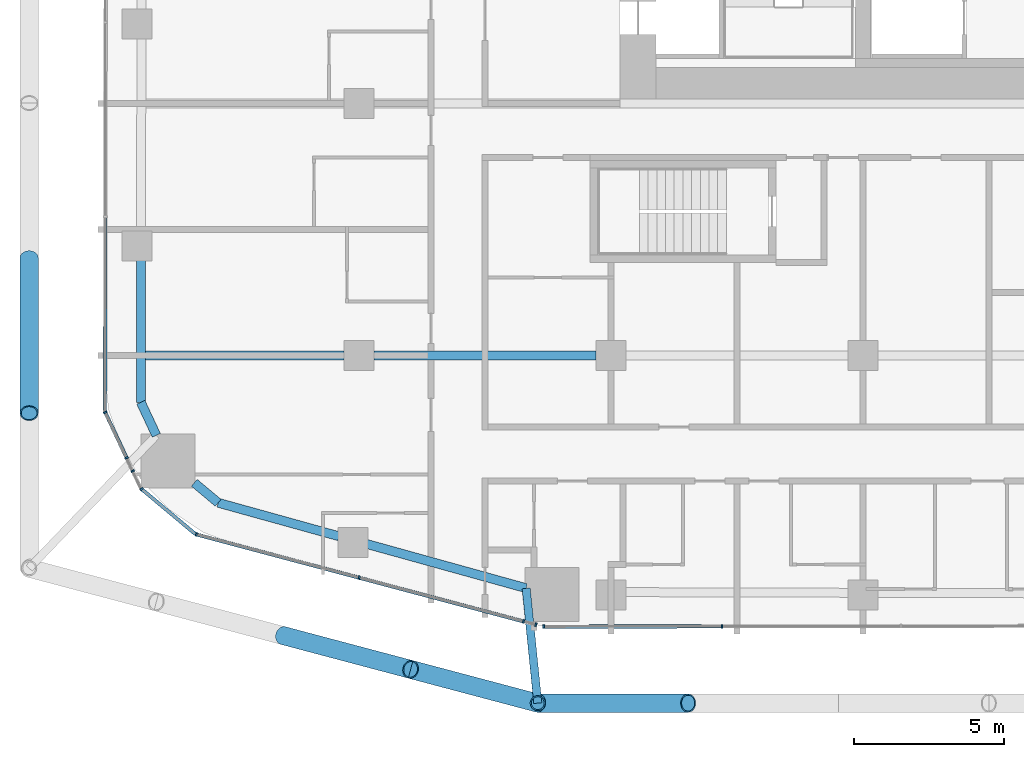
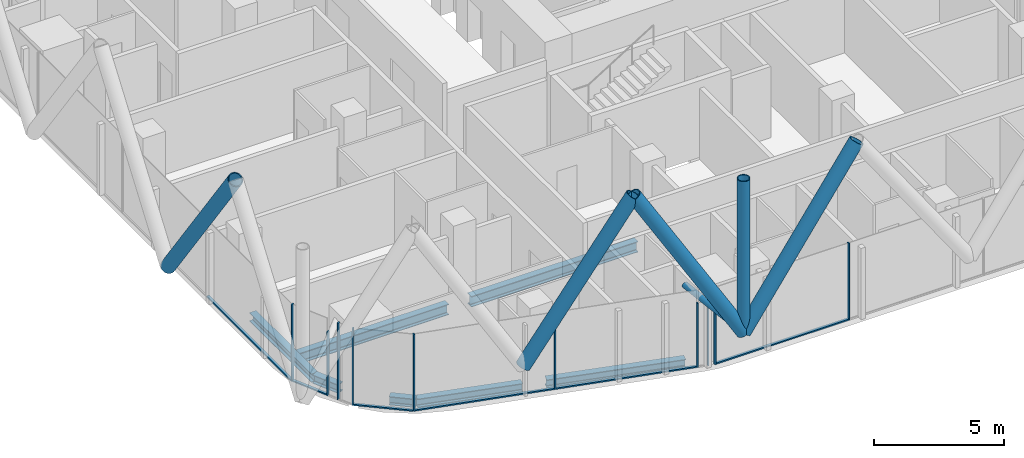
# One storey, part 2 of 35: 22 members, 7 beams, 8 elements without a shape of their own.
"""IFC4 building model written with IfcOpenShell, lengths in metres."""

from ifc_helpers import new_model, si_unit, direction, frame, origin, origin_2d, place, context, subcontext, project, spatial, rectangle, hollow_circle, i_section, extrude, material, layer, layer_set, material_profile, profile_set, type_object, element, aggregate, save


model = new_model("IFC4")

# Units and contexts
model_context = context("Model", 3, precision=1e-05, world=origin(), true_north=direction((0.0, 1.0)))
body_context = subcontext(model_context, "Body", "Model", "MODEL_VIEW")
ifc_project = project(units=[si_unit("LENGTHUNIT", "METRE"), si_unit("AREAUNIT", "SQUARE_METRE"), si_unit("VOLUMEUNIT", "CUBIC_METRE"), si_unit("PLANEANGLEUNIT", "RADIAN"), si_unit("MASSUNIT", "GRAM", prefix="KILO")], contexts=[model_context])

# Site, building, storey
site_placement = place(None, origin())
site = spatial("IfcSite", under=ifc_project, at=site_placement, CompositionType="ELEMENT")
building_placement = place(site_placement, origin())
building = spatial("IfcBuilding", under=site, at=building_placement, Name="Marenta Gate Hotel Tower", CompositionType="ELEMENT")
storey_placement = place(building_placement, frame((0.0, 0.0, 61.699951171875)))
storey = spatial("IfcBuildingStorey", under=building, at=storey_placement, Name="L13", CompositionType="ELEMENT", Elevation=61.699951171875)

# Members
ifc_material_1 = material(Name="Steel S355J2W", Category="steel")
ifc_material_profile_1 = material_profile(ifc_material_1, hollow_circle(Radius=0.25390625, WallThickness=0.0400390625, at=origin_2d()), Name="CHS 508x40")
ifc_profile_set_1 = profile_set([ifc_material_profile_1], Name="Steel S355J2W")
member_type_1 = type_object("IfcMemberType", Name="Diagrid corner post Z1 CHS 508x40", PredefinedType="POST", material=ifc_profile_set_1)
member_1_placement = place(storey_placement, frame((-15.0390625, -20.0, 3.14013671875), z_axis=(0.0, 0.0, 1.0), x_axis=(1.0, 0.0, 0.0)))
element("IfcMember", 1, at=member_1_placement, inside=storey, type_object=member_type_1, Name="L13-DR-4", PredefinedType="POST", context=body_context, shape_type="SweptSolid", body=[
    extrude(hollow_circle(Radius=0.25390625, WallThickness=0.0400390625, at=origin_2d()), origin(), (0.0, 0.0, 1.0), 7.199951171875),
])
ifc_material_2 = material(Name="Steel S355J2W", Category="steel")
ifc_material_profile_2 = material_profile(ifc_material_2, hollow_circle(Radius=0.304931640625, WallThickness=0.0400390625, at=origin_2d()), Name="CHS 610x40")
ifc_profile_set_2 = profile_set([ifc_material_profile_2], Name="Steel S355J2W")
member_type_2 = type_object("IfcMemberType", Name="Diagrid diagonal Z1 CHS 610x40", PredefinedType="BRACE", material=ifc_profile_set_2)
member_2_placement = place(storey_placement, frame((-15.0390625, -20.0, 3.14013671875), z_axis=(0.571411767966, 0.0, 0.820663506822), x_axis=(0.0, 1.0, 0.0)))
element("IfcMember", 2, at=member_2_placement, inside=storey, type_object=member_type_2, Name="L13-DG-20", PredefinedType="BRACE", context=body_context, shape_type="SweptSolid", body=[
    extrude(hollow_circle(Radius=0.304931640625, WallThickness=0.0400390625, at=origin_2d()), origin(), (0.0, 0.0, 1.0), 8.7734375),
])
for number, where, z_axis, x_axis, name in (
    (3, (-15.0390625, -20.0, 3.14013671875), (-0.502924018666, 0.133433548941, 0.853968921838), (-0.256443187528, -0.96655930577, 0.0), "L13-DG-21"),
    (4, (-23.51953125, -17.75, 3.14013671875), (0.502924018666, -0.133433548941, 0.853968921838), (0.256443187528, 0.96655930577, 0.0), "L13-DG-22"),
):
    element("IfcMember", number, at=place(storey_placement, frame(where, z_axis=z_axis, x_axis=x_axis)), inside=storey, type_object=member_type_2, Name=name, PredefinedType="BRACE", context=body_context, shape_type="SweptSolid", body=[
        extrude(hollow_circle(Radius=0.304931640625, WallThickness=0.0400390625, at=origin_2d()), origin(), (0.0, 0.0, 1.0), 8.43115234375),
    ])
member_3_placement = place(storey_placement, frame((-32.0, -5.16015625, 3.14013671875), z_axis=(0.0, -0.583260841117, 0.812284919975), x_axis=(1.0, 0.0, 0.0)))
element("IfcMember", 5, at=member_3_placement, inside=storey, type_object=member_type_2, Name="L13-DG-26", PredefinedType="BRACE", context=body_context, shape_type="SweptSolid", body=[
    extrude(hollow_circle(Radius=0.304931640625, WallThickness=0.0400390625, at=origin_2d()), origin(), (0.0, 0.0, 1.0), 8.86376953125),
])

# Beams
ifc_material_3 = material(Name="Steel S355", Category="steel")
ifc_material_profile_3 = material_profile(ifc_material_3, i_section(OverallWidth=0.300048828125, OverallDepth=0.39990234375, WebThickness=0.013427734375, FlangeThickness=0.02392578125, FilletRadius=0.027099609375, at=origin_2d()), Name="HEB 400")
ifc_profile_set_3 = profile_set([ifc_material_profile_3], Name="Steel S355")
beam_type_1 = type_object("IfcBeamType", Name="Edge beam HEB 400", PredefinedType="SPANDREL", material=ifc_profile_set_3)
beam_1_placement = place(storey_placement, frame((-15.427734375, -16.166748046875, -0.4599609375), z_axis=(-0.963623684238, 0.267262782998, 0.0), x_axis=(-0.267262782998, -0.963623684238, 0.0)))
element("IfcBeam", 6, at=beam_1_placement, inside=storey, type_object=beam_type_1, Name="L13-EB-1", PredefinedType="SPANDREL", context=body_context, shape_type="SweptSolid", body=[
    extrude(i_section(OverallWidth=0.300048828125, OverallDepth=0.39990234375, WebThickness=0.013427734375, FlangeThickness=0.02392578125, FilletRadius=0.027099609375, at=origin_2d()), origin(), (0.0, 0.0, 1.0), 5.518310546875),
])
beam_2_placement = place(storey_placement, frame((-21.668212890625, -14.43603515625, -0.4599609375), z_axis=(-0.963617403201, 0.267285428426, 0.0), x_axis=(-0.267285428426, -0.963617403201, 0.0)))
element("IfcBeam", 7, at=beam_2_placement, inside=storey, type_object=beam_type_1, Name="L13-EB-2", PredefinedType="SPANDREL", context=body_context, shape_type="SweptSolid", body=[
    extrude(i_section(OverallWidth=0.300048828125, OverallDepth=0.39990234375, WebThickness=0.013427734375, FlangeThickness=0.02392578125, FilletRadius=0.027099609375, at=origin_2d()), origin(), (0.0, 0.0, 1.0), 4.1806640625),
])
beam_3_placement = place(storey_placement, frame((-25.69677734375, -13.318603515625, -0.4599609375), z_axis=(-0.767179911534, 0.641431978731, 0.0), x_axis=(-0.641431978731, -0.767179911534, 0.0)))
element("IfcBeam", 8, at=beam_3_placement, inside=storey, type_object=beam_type_1, Name="L13-EB-3", PredefinedType="SPANDREL", context=body_context, shape_type="SweptSolid", body=[
    extrude(i_section(OverallWidth=0.300048828125, OverallDepth=0.39990234375, WebThickness=0.013427734375, FlangeThickness=0.02392578125, FilletRadius=0.027099609375, at=origin_2d()), origin(), (0.0, 0.0, 1.0), 1.038818359375),
])
beam_4_placement = place(storey_placement, frame((-27.76025390625, -11.0693359375, -0.4599609375), z_axis=(-0.423291965192, 0.905993329006, 0.0), x_axis=(-0.905993329006, -0.423291965192, 0.0)))
element("IfcBeam", 9, at=beam_4_placement, inside=storey, type_object=beam_type_1, Name="L13-EB-4", PredefinedType="SPANDREL", context=body_context, shape_type="SweptSolid", body=[
    extrude(i_section(OverallWidth=0.300048828125, OverallDepth=0.39990234375, WebThickness=0.013427734375, FlangeThickness=0.02392578125, FilletRadius=0.027099609375, at=origin_2d()), origin(), (0.0, 0.0, 1.0), 1.21630859375),
])
beam_5_placement = place(storey_placement, frame((-28.275146484375, -9.96728515625, -0.4599609375), z_axis=(0.001386177947, 0.999999039255, 0.0), x_axis=(-0.999999039255, 0.001386177947, 0.0)))
element("IfcBeam", 10, at=beam_5_placement, inside=storey, type_object=beam_type_1, Name="L13-EB-5", PredefinedType="SPANDREL", context=body_context, shape_type="SweptSolid", body=[
    extrude(i_section(OverallWidth=0.300048828125, OverallDepth=0.39990234375, WebThickness=0.013427734375, FlangeThickness=0.02392578125, FilletRadius=0.027099609375, at=origin_2d()), origin(), (0.0, 0.0, 1.0), 4.75537109375),
])

# Member
ifc_material_4 = material(Name="Steel S355J2W", Category="steel")
ifc_material_profile_4 = material_profile(ifc_material_4, hollow_circle(Radius=0.136474609375, WallThickness=0.012451171875, at=origin_2d()), Name="CHS 273x12.5")
ifc_profile_set_4 = profile_set([ifc_material_profile_4], Name="Steel S355J2W")
member_type_3 = type_object("IfcMemberType", Name="Floor tie CHS 273x12.5", PredefinedType="STRUT", material=ifc_profile_set_4)
member_4_placement = place(storey_placement, frame((-15.0390625, -20.0, 3.14013671875), z_axis=(-0.100880214529, 0.99489857891, 0.0), x_axis=(-0.99489857891, -0.100880214529, 0.0)))
element("IfcMember", 11, at=member_4_placement, inside=storey, type_object=member_type_3, Name="L13-DR-10", PredefinedType="STRUT", context=body_context, shape_type="SweptSolid", body=[
    extrude(hollow_circle(Radius=0.136474609375, WallThickness=0.012451171875, at=origin_2d()), origin(), (0.0, 0.0, 1.0), 3.845458984375),
])

# Beams
ifc_material_5 = material(Name="Steel S355", Category="steel")
ifc_material_profile_5 = material_profile(ifc_material_5, i_section(OverallWidth=0.300048828125, OverallDepth=0.5, WebThickness=0.014404296875, FlangeThickness=0.028076171875, FilletRadius=0.027099609375, at=origin_2d()), Name="HEB 500")
ifc_profile_set_5 = profile_set([ifc_material_profile_5], Name="Steel S355")
beam_type_2 = type_object("IfcBeamType", Name="Girder HEB 500", PredefinedType="BEAM", material=ifc_profile_set_5)
beam_6_placement = place(storey_placement, frame((-28.123046875, -8.39990234375, -0.510009765625), z_axis=(1.0, 0.0, 0.0), x_axis=(0.0, 1.0, 0.0)))
element("IfcBeam", 12, at=beam_6_placement, inside=storey, type_object=beam_type_2, Name="L13-GD-1", PredefinedType="BEAM", context=body_context, shape_type="SweptSolid", body=[
    extrude(i_section(OverallWidth=0.300048828125, OverallDepth=0.5, WebThickness=0.014404296875, FlangeThickness=0.028076171875, FilletRadius=0.027099609375, at=origin_2d()), origin(), (0.0, 0.0, 1.0), 6.623046875),
])
beam_7_placement = place(storey_placement, frame((-20.5, -8.39990234375, -0.510009765625), z_axis=(1.0, 0.0, 0.0), x_axis=(0.0, 1.0, 0.0)))
element("IfcBeam", 13, at=beam_7_placement, inside=storey, type_object=beam_type_2, Name="L13-GD-2", PredefinedType="BEAM", context=body_context, shape_type="SweptSolid", body=[
    extrude(i_section(OverallWidth=0.300048828125, OverallDepth=0.5, WebThickness=0.014404296875, FlangeThickness=0.028076171875, FilletRadius=0.027099609375, at=origin_2d()), origin(), (0.0, 0.0, 1.0), 7.39990234375),
])

# Curtain wall, member
ifc_material_6 = material(Name="Tinted insulated glass in bronze anodised frame", Category="glass")
ifc_layer = layer(ifc_material_6, 0.1201171875)
ifc_layer_set = layer_set([ifc_layer], Name="Tinted insulated glass in bronze anodised frame")
curtain_wall_type = type_object("IfcCurtainWallType", Name="Tower unitised curtain wall CW1", PredefinedType="NOTDEFINED", material=ifc_layer_set)
curtain_wall_1_placement = place(storey_placement, origin())
curtain_wall_1 = element("IfcCurtainWall", 14, at=curtain_wall_1_placement, inside=storey, type_object=curtain_wall_type, Name="CW1 run G05", PredefinedType="NOTDEFINED")
ifc_material_7 = material(Name="Bronze anodised aluminium", Category="aluminium")
ifc_material_profile_6 = material_profile(ifc_material_7, rectangle(XDim=0.1201171875, YDim=0.06005859375, at=origin_2d()), Name="Mullion CW1 60x120 bronze anodised aluminium")
ifc_profile_set_6 = profile_set([ifc_material_profile_6], Name="Bronze anodised aluminium")
member_type_4 = type_object("IfcMemberType", Name="Mullion CW1 60x120 bronze anodised aluminium", PredefinedType="MULLION", material=ifc_profile_set_6)
member_5_placement = place(storey_placement, frame((-29.460693359375, -10.30322265625, 0.0), z_axis=(0.0, 0.0, 1.0), x_axis=(0.905970782283, 0.42334021974, 0.0)))
member_5 = element("IfcMember", 15, at=member_5_placement, type_object=member_type_4, Name="CW1 mullion 1", PredefinedType="MULLION", context=body_context, shape_type="SweptSolid", body=[
    extrude(rectangle(XDim=0.1201171875, YDim=0.06005859375, at=origin_2d()), origin(), (0.0, 0.0, 1.0), 3.60009765625),
])

curtain_wall_2_placement = place(storey_placement, origin())
curtain_wall_2 = element("IfcCurtainWall", 16, at=curtain_wall_2_placement, inside=storey, type_object=curtain_wall_type, Name="CW1 run G06", PredefinedType="NOTDEFINED")
member_6_placement = place(storey_placement, frame((-28.752197265625, -11.819091796875, 0.0), z_axis=(0.0, 0.0, 1.0), x_axis=(0.906004324729, 0.423268429691, 0.0)))
member_6 = element("IfcMember", 17, at=member_6_placement, type_object=member_type_4, Name="CW1 mullion 1", PredefinedType="MULLION", context=body_context, shape_type="SweptSolid", body=[
    extrude(rectangle(XDim=0.1201171875, YDim=0.06005859375, at=origin_2d()), origin(), (0.0, 0.0, 1.0), 3.00048828125),
])
aggregate(curtain_wall_2, [member_6])

curtain_wall_3_placement = place(storey_placement, origin())
curtain_wall_3 = element("IfcCurtainWall", 18, at=curtain_wall_3_placement, inside=storey, type_object=curtain_wall_type, Name="CW1 run G07", PredefinedType="NOTDEFINED")
member_7_placement = place(storey_placement, frame((-28.546630859375, -12.25927734375, 0.0), z_axis=(0.0, 0.0, 1.0), x_axis=(0.905943804319, 0.423397949235, 0.0)))
member_7 = element("IfcMember", 19, at=member_7_placement, type_object=member_type_4, Name="CW1 mullion 1", PredefinedType="MULLION", context=body_context, shape_type="SweptSolid", body=[
    extrude(rectangle(XDim=0.1201171875, YDim=0.06005859375, at=origin_2d()), origin(), (0.0, 0.0, 1.0), 3.60009765625),
])
aggregate(curtain_wall_3, [member_7])

curtain_wall_4_placement = place(storey_placement, origin())
curtain_wall_4 = element("IfcCurtainWall", 20, at=curtain_wall_4_placement, inside=storey, type_object=curtain_wall_type, Name="CW1 run G08", PredefinedType="NOTDEFINED")
member_8_placement = place(storey_placement, frame((-28.25146484375, -12.86083984375, 0.0), z_axis=(0.0, 0.0, 1.0), x_axis=(0.641511984407, 0.767113012445, 0.0)))
member_8 = element("IfcMember", 21, at=member_8_placement, type_object=member_type_4, Name="CW1 mullion 1", PredefinedType="MULLION", context=body_context, shape_type="SweptSolid", body=[
    extrude(rectangle(XDim=0.1201171875, YDim=0.06005859375, at=origin_2d()), origin(), (0.0, 0.0, 1.0), 3.60009765625),
])

# Curtain wall, members
curtain_wall_5_placement = place(storey_placement, origin())
curtain_wall_5 = element("IfcCurtainWall", 22, at=curtain_wall_5_placement, inside=storey, type_object=curtain_wall_type, Name="CW1 run G09", PredefinedType="NOTDEFINED")
member_9_placement = place(storey_placement, frame((-26.42236328125, -14.3740234375, 0.0), z_axis=(0.0, 0.0, 1.0), x_axis=(0.257142063632, 0.96637361259, 0.0)))
member_9 = element("IfcMember", 23, at=member_9_placement, type_object=member_type_4, Name="CW1 mullion 1", PredefinedType="MULLION", context=body_context, shape_type="SweptSolid", body=[
    extrude(rectangle(XDim=0.1201171875, YDim=0.06005859375, at=origin_2d()), origin(), (0.0, 0.0, 1.0), 3.60009765625),
])
member_10_placement = place(storey_placement, frame((-20.99755859375, -15.8173828125, 0.0), z_axis=(0.0, 0.0, 1.0), x_axis=(0.257142063632, 0.96637361259, 0.0)))
member_10 = element("IfcMember", 24, at=member_10_placement, type_object=member_type_4, Name="CW1 mullion 2", PredefinedType="MULLION", context=body_context, shape_type="SweptSolid", body=[
    extrude(rectangle(XDim=0.1201171875, YDim=0.06005859375, at=origin_2d()), origin(), (0.0, 0.0, 1.0), 3.60009765625),
])

curtain_wall_6_placement = place(storey_placement, origin())
curtain_wall_6 = element("IfcCurtainWall", 25, at=curtain_wall_6_placement, inside=storey, type_object=curtain_wall_type, Name="CW1 run G10", PredefinedType="NOTDEFINED")
member_11_placement = place(storey_placement, frame((-15.5146484375, -17.2763671875, 0.0), z_axis=(0.0, 0.0, 1.0), x_axis=(0.257084251591, 0.966388993927, 0.0)))
member_11 = element("IfcMember", 26, at=member_11_placement, type_object=member_type_4, Name="CW1 mullion 1", PredefinedType="MULLION", context=body_context, shape_type="SweptSolid", body=[
    extrude(rectangle(XDim=0.1201171875, YDim=0.06005859375, at=origin_2d()), origin(), (0.0, 0.0, 1.0), 3.00048828125),
])
member_12_placement = place(storey_placement, frame((-15.104736328125, -17.385498046875, 0.0), z_axis=(0.0, 0.0, 1.0), x_axis=(0.257084251591, 0.966388993927, 0.0)))
member_12 = element("IfcMember", 27, at=member_12_placement, type_object=member_type_4, Name="CW1 mullion 2", PredefinedType="MULLION", context=body_context, shape_type="SweptSolid", body=[
    extrude(rectangle(XDim=0.1201171875, YDim=0.06005859375, at=origin_2d()), origin(), (0.0, 0.0, 1.0), 3.00048828125),
])
aggregate(curtain_wall_6, [member_11, member_12])

curtain_wall_7_placement = place(storey_placement, origin())
curtain_wall_7 = element("IfcCurtainWall", 28, at=curtain_wall_7_placement, inside=storey, type_object=curtain_wall_type, Name="CW1 run G11", PredefinedType="NOTDEFINED")
member_13_placement = place(storey_placement, frame((-14.840576171875, -17.44775390625, 0.0), z_axis=(0.0, 0.0, 1.0), x_axis=(-0.001161921639, 0.999999324969, 0.0)))
member_13 = element("IfcMember", 29, at=member_13_placement, type_object=member_type_4, Name="CW1 mullion 1", PredefinedType="MULLION", context=body_context, shape_type="SweptSolid", body=[
    extrude(rectangle(XDim=0.1201171875, YDim=0.06005859375, at=origin_2d()), origin(), (0.0, 0.0, 1.0), 3.60009765625),
])
member_14_placement = place(storey_placement, frame((-8.897705078125, -17.44091796875, 0.0), z_axis=(0.0, 0.0, 1.0), x_axis=(-0.001161921639, 0.999999324969, 0.0)))
member_14 = element("IfcMember", 30, at=member_14_placement, type_object=member_type_4, Name="CW1 mullion 2", PredefinedType="MULLION", context=body_context, shape_type="SweptSolid", body=[
    extrude(rectangle(XDim=0.1201171875, YDim=0.06005859375, at=origin_2d()), origin(), (0.0, 0.0, 1.0), 3.60009765625),
])

# Curtain wall, member
curtain_wall_8_placement = place(storey_placement, origin())
curtain_wall_8 = element("IfcCurtainWall", 31, at=curtain_wall_8_placement, inside=storey, type_object=curtain_wall_type, Name="CW1 run G04", PredefinedType="NOTDEFINED")
ifc_material_8 = material(Name="Bronze anodised aluminium", Category="aluminium")
ifc_material_profile_7 = material_profile(ifc_material_8, rectangle(XDim=0.1201171875, YDim=0.06005859375, at=origin_2d()), Name="Transom CW1 60x120 bronze anodised aluminium")
ifc_profile_set_7 = profile_set([ifc_material_profile_7], Name="Bronze anodised aluminium")
member_type_5 = type_object("IfcMemberType", Name="Transom CW1 60x120 bronze anodised aluminium", PredefinedType="USERDEFINED", material=ifc_profile_set_7)
member_15_placement = place(storey_placement, frame((-29.463134765625, -3.815673828125, 0.030029296875), z_axis=(-0.001587239601, -0.999998740334, 0.0), x_axis=(0.999998740334, -0.001587239601, 0.0)))
member_15 = element("IfcMember", 32, at=member_15_placement, type_object=member_type_5, Name="CW1 transom 6.1", ObjectType="TRANSOM", PredefinedType="USERDEFINED", context=body_context, shape_type="SweptSolid", body=[
    extrude(rectangle(XDim=0.1201171875, YDim=0.06005859375, at=origin_2d()), origin(), (0.0, 0.0, 1.0), 6.460205078125),
])
aggregate(curtain_wall_8, [member_15])

# Member
member_16_placement = place(storey_placement, frame((-29.447998046875, -10.330322265625, 0.030029296875), z_axis=(0.423448765348, -0.905920053385, 0.0), x_axis=(0.905920053385, 0.423448765348, 0.0)))
member_16 = element("IfcMember", 33, at=member_16_placement, type_object=member_type_5, Name="CW1 transom 1.1", ObjectType="TRANSOM", PredefinedType="USERDEFINED", context=body_context, shape_type="SweptSolid", body=[
    extrude(rectangle(XDim=0.1201171875, YDim=0.06005859375, at=origin_2d()), origin(), (0.0, 0.0, 1.0), 1.61328125),
])

aggregate(curtain_wall_1, [member_5, member_16])

member_17_placement = place(storey_placement, frame((-28.228271484375, -12.880126953125, 0.030029296875), z_axis=(0.767079699321, -0.641551817775, 0.0), x_axis=(0.641551817775, 0.767079699321, 0.0)))
member_17 = element("IfcMember", 34, at=member_17_placement, type_object=member_type_5, Name="CW1 transom 1.1", ObjectType="TRANSOM", PredefinedType="USERDEFINED", context=body_context, shape_type="SweptSolid", body=[
    extrude(rectangle(XDim=0.1201171875, YDim=0.06005859375, at=origin_2d()), origin(), (0.0, 0.0, 1.0), 2.31640625),
])

aggregate(curtain_wall_4, [member_8, member_17])

member_18_placement = place(storey_placement, frame((-26.393310546875, -14.3818359375, 0.030029296875), z_axis=(0.966375620047, -0.257134519227, 0.0), x_axis=(0.257134519227, 0.966375620047, 0.0)))
member_18 = element("IfcMember", 35, at=member_18_placement, type_object=member_type_5, Name="CW1 transom 1.1", ObjectType="TRANSOM", PredefinedType="USERDEFINED", context=body_context, shape_type="SweptSolid", body=[
    extrude(rectangle(XDim=0.1201171875, YDim=0.06005859375, at=origin_2d()), origin(), (0.0, 0.0, 1.0), 5.553466796875),
])

member_19_placement = place(storey_placement, frame((-20.968505859375, -15.8251953125, 0.030029296875), z_axis=(0.96636835043, -0.257161838708, 0.0), x_axis=(0.257161838708, 0.96636835043, 0.0)))
member_19 = element("IfcMember", 36, at=member_19_placement, type_object=member_type_5, Name="CW1 transom 2.1", ObjectType="TRANSOM", PredefinedType="USERDEFINED", context=body_context, shape_type="SweptSolid", body=[
    extrude(rectangle(XDim=0.1201171875, YDim=0.06005859375, at=origin_2d()), origin(), (0.0, 0.0, 1.0), 5.613525390625),
])

aggregate(curtain_wall_5, [member_9, member_10, member_18, member_19])

member_20_placement = place(storey_placement, frame((-14.810546875, -17.44775390625, 0.030029296875), z_axis=(0.999999324857, 0.001162017808, 0.0), x_axis=(-0.001162017808, 0.999999324857, 0.0)))
member_20 = element("IfcMember", 37, at=member_20_placement, type_object=member_type_5, Name="CW1 transom 1.1", ObjectType="TRANSOM", PredefinedType="USERDEFINED", context=body_context, shape_type="SweptSolid", body=[
    extrude(rectangle(XDim=0.1201171875, YDim=0.06005859375, at=origin_2d()), origin(), (0.0, 0.0, 1.0), 5.8828125),
])

aggregate(curtain_wall_7, [member_13, member_14, member_20])

save(model, "model.ifc")
